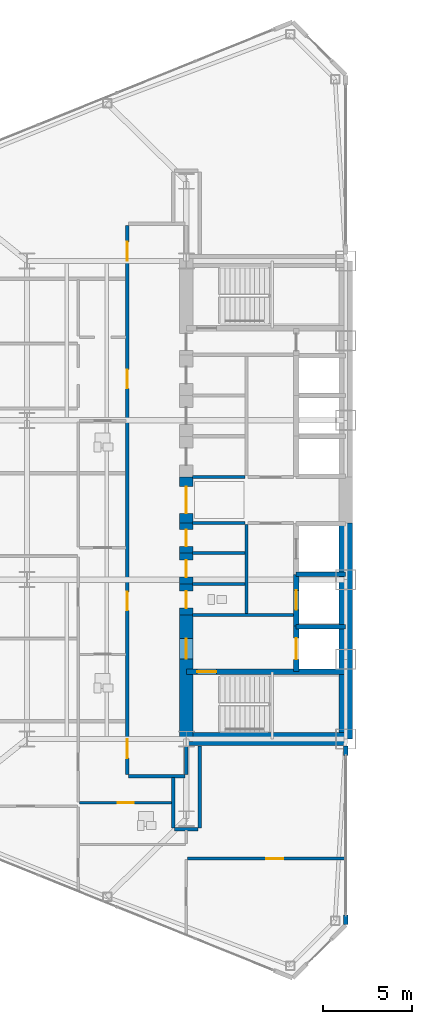
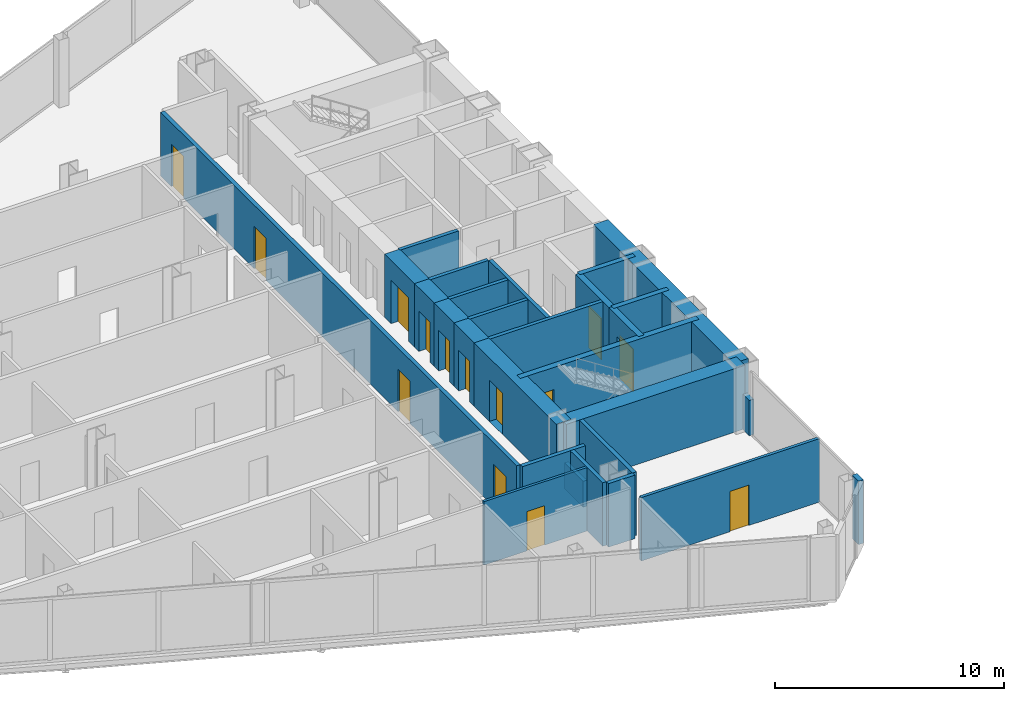
# One storey, part 18 of 25: 28 walls, 14 doors, 14 openings.
"""IFC4 building model written with IfcOpenShell, lengths in metres."""

import ifcopenshell
import ifcopenshell.guid

model = None  # the IFC model being written
_history = None  # IfcOwnerHistory: only IFC2X3 demands one
_inside = {}  # id of a spatial element -> (the spatial element, [elements in it])
_under = {}  # id of a project, library or spatial element -> (it, [spatial elements below it])
_declared = {}  # id of a project -> (the project, [libraries it declares])
_typed = {}  # id of a type object -> (the type object, [elements of that type])
_made_of = {}  # id of a material, layer set ... -> (it, [elements and type objects made of it])


def new_model(schema):
    """Start an empty IFC model of exactly this schema.

    Asked for "IFC4X3", IfcOpenShell would pick the latest addendum, in which some entities
    have other attributes; the version numbers below select the first issue.
    IFC2X3 requires an IfcOwnerHistory on every rooted entity: one is made here for all.
    """
    global model, _history
    if schema == "IFC4X3":
        model = ifcopenshell.file(schema_version=(4, 3, 0, 0))
    else:
        model = ifcopenshell.file(schema=schema)
    _inside.clear()
    _under.clear()
    _declared.clear()
    _typed.clear()
    _made_of.clear()
    _history = None
    if model.schema == "IFC2X3":
        org = make("IfcOrganization", Name="unknown")
        user = make(
            "IfcPersonAndOrganization",
            ThePerson=make("IfcPerson", FamilyName="unknown"),
            TheOrganization=org,
        )
        app = make(
            "IfcApplication",
            ApplicationDeveloper=org,
            Version="unknown",
            ApplicationFullName="unknown",
            ApplicationIdentifier="unknown",
        )
        _history = make(
            "IfcOwnerHistory",
            OwningUser=user,
            OwningApplication=app,
            ChangeAction="ADDED",
            CreationDate=0,
        )
    return model


def make(cls, **values):
    """One entity of the class cls with the attributes given. An attribute that is None is left unset."""
    return model.create_entity(
        cls, **{name: value for name, value in values.items() if value is not None}
    )


def rooted(cls, **values):
    """An entity with a GlobalId (a new one), such as an element, a storey or a relation."""
    return make(cls, GlobalId=ifcopenshell.guid.new(), OwnerHistory=_history, **values)


def si_unit(unit_type, name, prefix=None):
    """IfcSIUnit, for example si_unit("LENGTHUNIT", "METRE", prefix="MILLI")."""
    return make("IfcSIUnit", UnitType=unit_type, Prefix=prefix, Name=name)


def assignment(units):
    """IfcUnitAssignment: the units of a project."""
    return None if units is None else make("IfcUnitAssignment", Units=units)


def point(xyz):
    """IfcCartesianPoint."""
    return None if xyz is None else make("IfcCartesianPoint", Coordinates=xyz)


def direction(xyz):
    """IfcDirection."""
    return None if xyz is None else make("IfcDirection", DirectionRatios=xyz)


def frame(location, z_axis=None, x_axis=None):
    """IfcAxis2Placement3D, a coordinate frame: its origin and axes. An axis left out is left unset."""
    return make(
        "IfcAxis2Placement3D",
        Location=point(location),
        Axis=direction(z_axis),
        RefDirection=direction(x_axis),
    )


def frame_2d(location, x_axis=None):
    """IfcAxis2Placement2D, a coordinate frame in the plane: its origin and x axis."""
    return make(
        "IfcAxis2Placement2D", Location=point(location), RefDirection=direction(x_axis)
    )


def origin():
    """The frame at (0, 0, 0) with its axes left unset."""
    return frame((0.0, 0.0, 0.0))


def place(relative_to, where):
    """IfcLocalPlacement: puts the frame where relative to a parent placement (None: the world)."""
    return make(
        "IfcLocalPlacement", PlacementRelTo=relative_to, RelativePlacement=where
    )


def context(
    kind, dimensions, precision=None, world=None, true_north=None, identifier=None
):
    """IfcGeometricRepresentationContext, for example the 3D "Model" context."""
    return make(
        "IfcGeometricRepresentationContext",
        ContextIdentifier=identifier,
        ContextType=kind,
        CoordinateSpaceDimension=dimensions,
        Precision=precision,
        WorldCoordinateSystem=world,
        TrueNorth=true_north,
    )


def subcontext(parent, identifier, kind, view, scale=None):
    """IfcGeometricRepresentationSubContext, for example "Body" below "Model"."""
    return make(
        "IfcGeometricRepresentationSubContext",
        ContextIdentifier=identifier,
        ContextType=kind,
        ParentContext=parent,
        TargetScale=scale,
        TargetView=view,
    )


def project(units=None, contexts=None):
    """IfcProject with its units and contexts."""
    return rooted(
        "IfcProject",
        Name="project",
        RepresentationContexts=contexts,
        UnitsInContext=assignment(units),
    )


def spatial(cls, under=None, at=None, **own):
    """A site, building, storey or space (cls), placed at a placement, below another one or the project."""
    s = rooted(cls, ObjectPlacement=at, **own)
    if under is not None:
        _under.setdefault(under.id(), (under, []))[1].append(s)
    return s


def profile(cls, at=None, kind="AREA", **sizes):
    """A parametric profile (cls). Its sizes go by their IFC names, for example OverallWidth=200.0."""
    return make(cls, ProfileType=kind, Position=at, **sizes)


def rectangle(**sizes):
    """IfcRectangleProfileDef."""
    return profile("IfcRectangleProfileDef", **sizes)


def extrude(swept, where, along, depth):
    """IfcExtrudedAreaSolid: the profile swept, set in the frame where, extruded along a direction by depth."""
    return make(
        "IfcExtrudedAreaSolid",
        SweptArea=swept,
        Position=where,
        ExtrudedDirection=direction(along),
        Depth=depth,
    )


def shape(context_of_items, identifier, shape_type, items):
    """IfcShapeRepresentation: the items that make up one representation, for example the "Body"."""
    return make(
        "IfcShapeRepresentation",
        ContextOfItems=context_of_items,
        RepresentationIdentifier=identifier,
        RepresentationType=shape_type,
        Items=items,
    )


def source(mapping_origin, context_of_items, identifier, shape_type, items):
    """IfcRepresentationMap: a shape defined once, which mapped items show again and again."""
    return make(
        "IfcRepresentationMap",
        MappingOrigin=mapping_origin,
        MappedRepresentation=shape(context_of_items, identifier, shape_type, items),
    )


def transform(
    local_origin,
    x_axis=None,
    y_axis=None,
    z_axis=None,
    scale=None,
    scale2=None,
    scale3=None,
    uniform=True,
):
    """IfcCartesianTransformationOperator3D, or its non-uniform kind. x_axis, y_axis, z_axis: its Axis1, 2, 3."""
    if uniform:
        return make(
            "IfcCartesianTransformationOperator3D",
            Axis1=direction(x_axis),
            Axis2=direction(y_axis),
            LocalOrigin=point(local_origin),
            Scale=scale,
            Axis3=direction(z_axis),
        )
    return make(
        "IfcCartesianTransformationOperator3DnonUniform",
        Axis1=direction(x_axis),
        Axis2=direction(y_axis),
        LocalOrigin=point(local_origin),
        Scale=scale,
        Axis3=direction(z_axis),
        Scale2=scale2,
        Scale3=scale3,
    )


def mapped(mapping_source, mapping_target):
    """IfcMappedItem: shows the shape of a source again, moved by a transform."""
    return make(
        "IfcMappedItem", MappingSource=mapping_source, MappingTarget=mapping_target
    )


def material(Name=None, Category=None):
    """IfcMaterial."""
    return make("IfcMaterial", Name=Name, Category=Category)


def layer(
    of_material, thickness, ventilated=None, Name=None, Category=None, Priority=None
):
    """IfcMaterialLayer: one layer of a wall or slab, of a material (None: an air gap)."""
    return make(
        "IfcMaterialLayer",
        Material=of_material,
        LayerThickness=thickness,
        IsVentilated=ventilated,
        Name=Name,
        Category=Category,
        Priority=Priority,
    )


def layer_set(layers, Name=None):
    """IfcMaterialLayerSet."""
    return make("IfcMaterialLayerSet", MaterialLayers=layers, LayerSetName=Name)


def made_of(thing, what):
    """Note that an element or type object is made of a material, layer set ...; save() writes the relation."""
    if what is not None:
        _made_of.setdefault(what.id(), (what, []))[1].append(thing)
    return thing


def type_object(cls, material=None, **own):
    """A type object (cls), such as IfcWallType, which elements share."""
    return made_of(rooted(cls, **own), material)


def type_shapes(of_type, sources):
    """Give a type object the sources (RepresentationMaps) that its elements show as mapped items."""
    of_type.RepresentationMaps = sources


def element(
    cls,
    number,
    at=None,
    inside=None,
    cuts=None,
    type_object=None,
    material=None,
    context=None,
    identifier="Body",
    shape_type=None,
    held_by="IfcProductDefinitionShape",
    body=None,
    shapes=None,
    **own,
):
    """One element of the class cls, such as IfcWall. Its Tag is "e" and its number.

    at: its placement. inside: the storey or other place that contains it. cuts: it is an
    opening in that element (IfcRelVoidsElement). A single representation is given by context,
    identifier, shape_type and body (its items); several are given by shapes. held_by: the class
    of the entity that holds the representations. save() writes the other relations.
    """
    e = rooted(cls, Tag="e%d" % number, ObjectPlacement=at, **own)
    if body is not None:
        shapes = [shape(context, identifier, shape_type, body)]
    if shapes is not None:
        e.Representation = make(held_by, Representations=shapes)
    if inside is not None:
        _inside.setdefault(inside.id(), (inside, []))[1].append(e)
    if cuts is not None:
        rooted(
            "IfcRelVoidsElement", RelatingBuildingElement=cuts, RelatedOpeningElement=e
        )
    if type_object is not None:
        _typed.setdefault(type_object.id(), (type_object, []))[1].append(e)
    return made_of(e, material)


def fill(opening, filler):
    """IfcRelFillsElement: the door or window that sits in an opening."""
    return rooted(
        "IfcRelFillsElement",
        RelatingOpeningElement=opening,
        RelatedBuildingElement=filler,
    )


def aggregate(whole, parts):
    """IfcRelAggregates: a whole, such as a stair, and the parts it consists of."""
    return rooted("IfcRelAggregates", RelatingObject=whole, RelatedObjects=parts)


def save(model, path):
    """Write the relations noted so far, then the file.

    IfcRelAggregates (storeys below a building ...), IfcRelContainedInSpatialStructure (elements
    in a storey), IfcRelDefinesByType, IfcRelAssociatesMaterial and IfcRelDeclares: one each for
    every whole, place, type object, material and project.
    """
    for whole, parts in _under.values():
        aggregate(whole, parts)
    for where, things in _inside.values():
        rooted(
            "IfcRelContainedInSpatialStructure",
            RelatedElements=things,
            RelatingStructure=where,
        )
    for kind, things in _typed.values():
        rooted("IfcRelDefinesByType", RelatedObjects=things, RelatingType=kind)
    for what, things in _made_of.values():
        rooted("IfcRelAssociatesMaterial", RelatedObjects=things, RelatingMaterial=what)
    for by, libraries in _declared.values():
        rooted("IfcRelDeclares", RelatingContext=by, RelatedDefinitions=libraries)
    model.write(path)


model = new_model("IFC4")

# Units and contexts
model_context = context("Model", 3, precision=1e-05, world=origin(), true_north=direction((0.0, 1.0)))
body_context = subcontext(model_context, "Body", "Model", "MODEL_VIEW")
ifc_project = project(units=[si_unit("LENGTHUNIT", "METRE"), si_unit("AREAUNIT", "SQUARE_METRE"), si_unit("VOLUMEUNIT", "CUBIC_METRE"), si_unit("PLANEANGLEUNIT", "RADIAN"), si_unit("MASSUNIT", "GRAM", prefix="KILO")], contexts=[model_context])

# Site, building, storey
site_placement = place(None, origin())
site = spatial("IfcSite", under=ifc_project, at=site_placement, CompositionType="ELEMENT")
building_placement = place(site_placement, origin())
building = spatial("IfcBuilding", under=site, at=building_placement, Name="Seokmaru Belvedere", CompositionType="ELEMENT")
storey_placement = place(building_placement, frame((0.0, 0.0, 58.5)))
storey = spatial("IfcBuildingStorey", under=building, at=storey_placement, Name="L15", CompositionType="ELEMENT", Elevation=58.5)

# Wall, opening, door
ifc_material_1 = material(Name="Fire-Rated Gypsum Shaftwall")
ifc_layer_1 = layer(ifc_material_1, 0.14990234375)
ifc_layer_set_1 = layer_set([ifc_layer_1], Name="Fire-Rated Gypsum Shaftwall")
wall_type_1 = type_object("IfcWallType", Name="Apartment Fire-Acoustic Room Partition 150", PredefinedType="PARTITIONING", material=ifc_layer_set_1)
wall_1_placement = place(storey_placement, frame((-36.449951171875, -20.25, 0.0), z_axis=(0.0, 0.0, 1.0), x_axis=(1.0, 0.0, 0.0)))
wall_1 = element("IfcWall", 1, at=wall_1_placement, inside=storey, type_object=wall_type_1, Name="L15 Interior Partition 001", PredefinedType="PARTITIONING", context=body_context, shape_type="SweptSolid", body=[
    extrude(rectangle(XDim=8.98486328125, YDim=0.14990234375, at=frame_2d((4.492431640625, 0.0))), origin(), (0.0, 0.0, 1.0), 3.3798828125),
])
opening_1_placement = place(wall_1_placement, frame((4.462646484375, 0.0, 0.0)))
opening_1 = element("IfcOpeningElement", 2, at=opening_1_placement, cuts=wall_1, Name="Opening D05", PredefinedType="OPENING", context=body_context, shape_type="SweptSolid", body=[
    extrude(rectangle(XDim=0.949951171875, YDim=2.14990234375, at=frame_2d((0.47509765625, 1.074951171875))), frame((0.0, 0.0849609375, 0.0), z_axis=(0.0, -1.0, 0.0), x_axis=(1.0, 0.0, 0.0)), (0.0, 0.0, 1.0), 0.169921875),
])
ifc_material_2 = material(Name="Engineered White Oak Timber", Category="wood")
door_type_1 = type_object("IfcDoorType", Name="Apartment Interior Fire-Rated Oak Door 950x2150", OperationType="NOTDEFINED", PredefinedType="DOOR", material=ifc_material_2)
shared_shape_1 = source(origin(), body_context, "Body", "SweptSolid", [
    extrude(rectangle(XDim=0.949951171875, YDim=2.14990234375, at=frame_2d((0.47509765625, 1.074951171875))), frame((0.0, 0.02490234375, 0.0), z_axis=(0.0, -1.0, 0.0), x_axis=(1.0, 0.0, 0.0)), (0.0, 0.0, 1.0), 0.050048828125),
])
type_shapes(door_type_1, [shared_shape_1])
door_1_placement = place(opening_1_placement, origin())
door_1 = element("IfcDoor", 3, at=door_1_placement, inside=storey, type_object=door_type_1, Name="L15 Interior Door 009", OperationType="SINGLE_SWING_RIGHT", OverallHeight=2.14990234375, OverallWidth=0.949951171875, PredefinedType="DOOR", context=body_context, shape_type="MappedRepresentation", body=[
    mapped(shared_shape_1, transform((0.0, 0.0, 0.0), scale=1.0)),
])
fill(opening_1, door_1)

# Walls
ifc_layer_2 = layer(ifc_material_1, 0.179931640625)
ifc_layer_set_2 = layer_set([ifc_layer_2], Name="Fire-Rated Gypsum Shaftwall")
wall_type_2 = type_object("IfcWallType", Name="Core Service Fire Partition 180", PredefinedType="PARTITIONING", material=ifc_layer_set_2)
wall_2_placement = place(storey_placement, frame((-36.14990234375, -6.5, 0.0), z_axis=(0.0, 0.0, 1.0), x_axis=(1.0, 0.0, 0.0)))
element("IfcWall", 4, at=wall_2_placement, inside=storey, type_object=wall_type_2, Name="L15 West Firefighting Lobby Partition", PredefinedType="PARTITIONING", context=body_context, shape_type="SweptSolid", body=[
    extrude(rectangle(XDim=5.699951171875, YDim=0.179931640625, at=frame_2d((2.85009765625, 0.0))), origin(), (0.0, 0.0, 1.0), 3.3798828125),
])
wall_3_placement = place(storey_placement, frame((-33.10009765625, -6.419921875, 0.0), z_axis=(0.0, 0.0, 1.0), x_axis=(0.0, 1.0, 0.0)))
element("IfcWall", 5, at=wall_3_placement, inside=storey, type_object=wall_type_2, Name="L15 West South Core Service Back Wall", PredefinedType="PARTITIONING", context=body_context, shape_type="SweptSolid", body=[
    extrude(rectangle(XDim=5.0400390625, YDim=0.179931640625, at=frame_2d((2.52001953125, 0.0))), origin(), (0.0, 0.0, 1.0), 3.3798828125),
])
for number, where, z_axis, x_axis, name in (
    (6, (-36.14990234375, -1.300048828125, 0.0), (0.0, 0.0, 1.0), (1.0, 0.0, 0.0), "L15 West Foyer Side Wall S"),
    (7, (-36.14990234375, 1.300048828125, 0.0), (0.0, 0.0, 1.0), (1.0, 0.0, 0.0), "L15 West Foyer Side Wall N"),
    (8, (-36.14990234375, -4.75, 0.0), (0.0, 0.0, 1.0), (1.0, 0.0, 0.0), "L15 West Core Service Partition 1"),
    (9, (-36.14990234375, -3.0, 0.0), (0.0, 0.0, 1.0), (1.0, 0.0, 0.0), "L15 West Core Service Partition 2"),
):
    element("IfcWall", number, at=place(storey_placement, frame(where, z_axis=z_axis, x_axis=x_axis)), inside=storey, type_object=wall_type_2, Name=name, PredefinedType="PARTITIONING", context=body_context, shape_type="SweptSolid", body=[
        extrude(rectangle(XDim=2.949951171875, YDim=0.179931640625, at=frame_2d((1.47509765625, 0.0))), origin(), (0.0, 0.0, 1.0), 3.3798828125),
    ])
ifc_material_3 = material(Name="Concrete C50 (50 MPa)", Category="concrete")
ifc_layer_3 = layer(ifc_material_3, 0.25)
ifc_layer_set_3 = layer_set([ifc_layer_3], Name="Concrete C50 (50 MPa)")
wall_type_3 = type_object("IfcWallType", Name="Hoistway Transverse Concrete Divider Wall 250", PredefinedType="SHEAR", material=ifc_layer_set_3)
for number, where, z_axis, x_axis, name in (
    (10, (-30.300048828125, -7.14990234375, 0.0), (0.0, 0.0, 1.0), (1.0, 0.0, 0.0), "L15 West Hoistway Divider Core Wall 1"),
    (11, (-30.300048828125, -4.199951171875, 0.0), (0.0, 0.0, 1.0), (1.0, 0.0, 0.0), "L15 West Hoistway Divider Core Wall 2"),
):
    element("IfcWall", number, at=place(storey_placement, frame(where, z_axis=z_axis, x_axis=x_axis)), inside=storey, type_object=wall_type_3, Name=name, PredefinedType="SHEAR", context=body_context, shape_type="SweptSolid", body=[
        extrude(rectangle(XDim=2.800048828125, YDim=0.25, at=frame_2d((1.39990234375, 0.0))), origin(), (0.0, 0.0, 1.0), 3.3798828125),
    ])
ifc_layer_4 = layer(ifc_material_1, 0.199951171875)
ifc_layer_set_4 = layer_set([ifc_layer_4], Name="Fire-Rated Gypsum Shaftwall")
wall_type_4 = type_object("IfcWallType", Name="Inter-Tenancy Fire Compartment Partition 200", PredefinedType="PARTITIONING", material=ifc_layer_set_4)
wall_4_placement = place(storey_placement, frame((-37.1650390625, -18.60009765625, 0.0), z_axis=(0.0, 0.0, 1.0), x_axis=(1.0, 0.0, 0.0)))
element("IfcWall", 12, at=wall_4_placement, inside=storey, type_object=wall_type_4, Name="L15 Interior Partition 003", PredefinedType="PARTITIONING", context=body_context, shape_type="SweptSolid", body=[
    extrude(rectangle(XDim=1.330078125, YDim=0.199951171875, at=frame_2d((0.6650390625, 0.0))), origin(), (0.0, 0.0, 1.0), 3.3798828125),
])
wall_5_placement = place(storey_placement, frame((-39.764892578125, -15.60009765625, 0.0), z_axis=(0.0, 0.0, 1.0), x_axis=(1.0, 0.0, 0.0)))
element("IfcWall", 13, at=wall_5_placement, inside=storey, type_object=wall_type_4, Name="L15 Interior Partition 007", PredefinedType="PARTITIONING", context=body_context, shape_type="SweptSolid", body=[
    extrude(rectangle(XDim=3.179931640625, YDim=0.199951171875, at=frame_2d((1.58984375, 0.0))), origin(), (0.0, 0.0, 1.0), 3.3798828125),
])

# Wall, openings, doors
wall_6_placement = place(storey_placement, frame((-39.85009765625, -15.514892578125, 0.0), z_axis=(0.0, 0.0, 1.0), x_axis=(0.0, 1.0, 0.0)))
wall_6 = element("IfcWall", 14, at=wall_6_placement, inside=storey, type_object=wall_type_4, Name="L15 Interior Partition 044", PredefinedType="PARTITIONING", context=body_context, shape_type="SweptSolid", body=[
    extrude(rectangle(XDim=31.02978515625, YDim=0.199951171875, at=frame_2d((15.514892578125, 0.0))), origin(), (0.0, 0.0, 1.0), 3.3798828125),
])
opening_2_placement = place(wall_6_placement, frame((0.93994140625, 0.0, 0.0)))
opening_2 = element("IfcOpeningElement", 15, at=opening_2_placement, cuts=wall_6, Name="Opening D03", PredefinedType="OPENING", context=body_context, shape_type="SweptSolid", body=[
    extrude(rectangle(XDim=1.050048828125, YDim=2.25, at=frame_2d((0.52490234375, 1.125))), frame((0.0, 0.10986328125, 0.0), z_axis=(0.0, -1.0, 0.0), x_axis=(1.0, 0.0, 0.0)), (0.0, 0.0, 1.0), 0.219970703125),
])
opening_3_placement = place(wall_6_placement, frame((9.280029296875, 0.0, 0.0)))
opening_3 = element("IfcOpeningElement", 16, at=opening_3_placement, cuts=wall_6, Name="Opening D03", PredefinedType="OPENING", context=body_context, shape_type="SweptSolid", body=[
    extrude(rectangle(XDim=1.050048828125, YDim=2.25, at=frame_2d((0.52490234375, 1.125))), frame((0.0, 0.10986328125, 0.0), z_axis=(0.0, -1.0, 0.0), x_axis=(1.0, 0.0, 0.0)), (0.0, 0.0, 1.0), 0.219970703125),
])
opening_4_placement = place(wall_6_placement, frame((21.824951171875, 0.0, 0.0)))
opening_4 = element("IfcOpeningElement", 17, at=opening_4_placement, cuts=wall_6, Name="Opening D03", PredefinedType="OPENING", context=body_context, shape_type="SweptSolid", body=[
    extrude(rectangle(XDim=1.050048828125, YDim=2.25, at=frame_2d((0.52490234375, 1.125))), frame((0.0, 0.10986328125, 0.0), z_axis=(0.0, -1.0, 0.0), x_axis=(1.0, 0.0, 0.0)), (0.0, 0.0, 1.0), 0.219970703125),
])
opening_5_placement = place(wall_6_placement, frame((29.0400390625, 0.0, 0.0)))
opening_5 = element("IfcOpeningElement", 18, at=opening_5_placement, cuts=wall_6, Name="Opening D03", PredefinedType="OPENING", context=body_context, shape_type="SweptSolid", body=[
    extrude(rectangle(XDim=1.050048828125, YDim=2.25, at=frame_2d((0.52490234375, 1.125))), frame((0.0, 0.10986328125, 0.0), z_axis=(0.0, -1.0, 0.0), x_axis=(1.0, 0.0, 0.0)), (0.0, 0.0, 1.0), 0.219970703125),
])
ifc_material_4 = material(Name="Fire-Rated Steel Leaf", Category="steel")
door_type_2 = type_object("IfcDoorType", Name="Apartment Entrance Fire Door 1050x2250", OperationType="NOTDEFINED", PredefinedType="DOOR", material=ifc_material_4)
shared_shape_2 = source(origin(), body_context, "Body", "SweptSolid", [
    extrude(rectangle(XDim=1.050048828125, YDim=2.25, at=frame_2d((0.52490234375, 1.125))), frame((0.0, 0.02490234375, 0.0), z_axis=(0.0, -1.0, 0.0), x_axis=(1.0, 0.0, 0.0)), (0.0, 0.0, 1.0), 0.050048828125),
])
type_shapes(door_type_2, [shared_shape_2])
door_2_placement = place(opening_2_placement, origin())
door_2 = element("IfcDoor", 19, at=door_2_placement, inside=storey, type_object=door_type_2, Name="L15 Interior Door 001", OperationType="SINGLE_SWING_RIGHT", OverallHeight=2.25, OverallWidth=1.050048828125, PredefinedType="DOOR", context=body_context, shape_type="MappedRepresentation", body=[
    mapped(shared_shape_2, transform((0.0, 0.0, 0.0), scale=1.0)),
])
fill(opening_2, door_2)
door_3_placement = place(opening_3_placement, origin())
door_3 = element("IfcDoor", 20, at=door_3_placement, inside=storey, type_object=door_type_2, Name="L15 Interior Door 010", OperationType="SINGLE_SWING_LEFT", OverallHeight=2.25, OverallWidth=1.050048828125, PredefinedType="DOOR", context=body_context, shape_type="MappedRepresentation", body=[
    mapped(shared_shape_2, transform((0.0, 0.0, 0.0), scale=1.0)),
])
fill(opening_3, door_3)
door_4_placement = place(opening_4_placement, origin())
door_4 = element("IfcDoor", 21, at=door_4_placement, inside=storey, type_object=door_type_2, Name="L15 Interior Door 022", OperationType="SINGLE_SWING_RIGHT", OverallHeight=2.25, OverallWidth=1.050048828125, PredefinedType="DOOR", context=body_context, shape_type="MappedRepresentation", body=[
    mapped(shared_shape_2, transform((0.0, 0.0, 0.0), scale=1.0)),
])
fill(opening_4, door_4)
door_5_placement = place(opening_5_placement, origin())
door_5 = element("IfcDoor", 22, at=door_5_placement, inside=storey, type_object=door_type_2, Name="L15 Interior Door 034", OperationType="SINGLE_SWING_LEFT", OverallHeight=2.25, OverallWidth=1.050048828125, PredefinedType="DOOR", context=body_context, shape_type="MappedRepresentation", body=[
    mapped(shared_shape_2, transform((0.0, 0.0, 0.0), scale=1.0)),
])
fill(opening_5, door_5)

# Walls
wall_7_placement = place(storey_placement, frame((-37.25, -18.514892578125, 0.0), z_axis=(0.0, 0.0, 1.0), x_axis=(0.0, 1.0, 0.0)))
element("IfcWall", 23, at=wall_7_placement, inside=storey, type_object=wall_type_4, Name="L15 Interior Partition 045", PredefinedType="PARTITIONING", context=body_context, shape_type="SweptSolid", body=[
    extrude(rectangle(XDim=2.829833984375, YDim=0.199951171875, at=frame_2d((1.4150390625, 0.0))), origin(), (0.0, 0.0, 1.0), 3.3798828125),
])
wall_8_placement = place(storey_placement, frame((-36.5, -15.514892578125, 0.0), z_axis=(0.0, 0.0, 1.0), x_axis=(0.0, 1.0, 0.0)))
element("IfcWall", 24, at=wall_8_placement, inside=storey, type_object=wall_type_4, Name="L15 Interior Partition 049", PredefinedType="PARTITIONING", context=body_context, shape_type="SweptSolid", body=[
    extrude(rectangle(XDim=1.635009765625, YDim=0.199951171875, at=frame_2d((0.8173828125, 0.0))), origin(), (0.0, 0.0, 1.0), 1.3798828125),
])
wall_9_placement = place(storey_placement, frame((-35.75, -18.514892578125, 0.0), z_axis=(0.0, 0.0, 1.0), x_axis=(0.0, 1.0, 0.0)))
element("IfcWall", 25, at=wall_9_placement, inside=storey, type_object=wall_type_4, Name="L15 Interior Partition 051", PredefinedType="PARTITIONING", context=body_context, shape_type="SweptSolid", body=[
    extrude(rectangle(XDim=4.635009765625, YDim=0.199951171875, at=frame_2d((2.3173828125, 0.0))), origin(), (0.0, 0.0, 1.0), 3.3798828125),
])

# Wall, opening, door
ifc_layer_5 = layer(ifc_material_3, 0.300048828125)
ifc_layer_set_5 = layer_set([ifc_layer_5], Name="Concrete C50 (50 MPa)")
wall_type_5 = type_object("IfcWallType", Name="Internal Core Stair and Hoistway Wall 300", PredefinedType="SHEAR", material=ifc_layer_set_5)
wall_10_placement = place(storey_placement, frame((-36.5, -9.699951171875, 0.0), z_axis=(0.0, 0.0, 1.0), x_axis=(1.0, 0.0, 0.0)))
wall_10 = element("IfcWall", 26, at=wall_10_placement, inside=storey, type_object=wall_type_5, Name="L15 West Stair ST-1 Enclosure Wall", PredefinedType="SHEAR", context=body_context, shape_type="SweptSolid", body=[
    extrude(rectangle(XDim=9.0, YDim=0.300048828125, at=frame_2d((4.5, 0.0))), origin(), (0.0, 0.0, 1.0), 3.3798828125),
])
opening_6_placement = place(wall_10_placement, frame((0.60009765625, 0.0, 0.0)))
opening_6 = element("IfcOpeningElement", 27, at=opening_6_placement, cuts=wall_10, Name="Opening D01", PredefinedType="OPENING", context=body_context, shape_type="SweptSolid", body=[
    extrude(rectangle(XDim=1.10009765625, YDim=2.199951171875, at=frame_2d((0.550048828125, 1.10009765625))), frame((0.0, 0.16015625, 0.0), z_axis=(0.0, -1.0, 0.0), x_axis=(1.0, 0.0, 0.0)), (0.0, 0.0, 1.0), 0.320068359375),
])
door_type_3 = type_object("IfcDoorType", Name="Special Escape Stair Smokeproof Fire Door 1100x2200", OperationType="NOTDEFINED", PredefinedType="DOOR", material=ifc_material_4)
shared_shape_3 = source(origin(), body_context, "Body", "SweptSolid", [
    extrude(rectangle(XDim=1.10009765625, YDim=2.199951171875, at=frame_2d((0.550048828125, 1.10009765625))), frame((0.0, 0.02490234375, 0.0), z_axis=(0.0, -1.0, 0.0), x_axis=(1.0, 0.0, 0.0)), (0.0, 0.0, 1.0), 0.050048828125),
])
type_shapes(door_type_3, [shared_shape_3])
door_6_placement = place(opening_6_placement, frame((1.10009765625, 0.0, 0.0), z_axis=(0.0, 0.0, 1.0), x_axis=(-1.0, 0.0, 0.0)))
door_6 = element("IfcDoor", 28, at=door_6_placement, inside=storey, type_object=door_type_3, Name="L15 West Special Escape Stair ST-1 Door", OperationType="SINGLE_SWING_LEFT", OverallHeight=2.199951171875, OverallWidth=1.10009765625, PredefinedType="DOOR", context=body_context, shape_type="MappedRepresentation", body=[
    mapped(shared_shape_3, transform((0.0, 0.0, 0.0), scale=1.0)),
])
fill(opening_6, door_6)

wall_11_placement = place(storey_placement, frame((-30.300048828125, -9.679931640625, 0.0), z_axis=(0.0, 0.0, 1.0), x_axis=(0.0, 1.0, 0.0)))
wall_11 = element("IfcWall", 29, at=wall_11_placement, inside=storey, type_object=wall_type_5, Name="L15 West Firefighting Lift Shaft Front Wall", PredefinedType="SHEAR", context=body_context, shape_type="SweptSolid", body=[
    extrude(rectangle(XDim=2.559814453125, YDim=0.300048828125, at=frame_2d((1.27978515625, 0.0))), origin(), (0.0, 0.0, 1.0), 3.3798828125),
])
opening_7_placement = place(wall_11_placement, frame((0.679931640625, 0.0, 0.0)))
opening_7 = element("IfcOpeningElement", 30, at=opening_7_placement, cuts=wall_11, Name="Opening LD2", PredefinedType="OPENING", context=body_context, shape_type="SweptSolid", body=[
    extrude(rectangle(XDim=1.199951171875, YDim=2.25, at=frame_2d((0.60009765625, 1.125))), frame((0.0, 0.16015625, 0.0), z_axis=(0.0, -1.0, 0.0), x_axis=(1.0, 0.0, 0.0)), (0.0, 0.0, 1.0), 0.320068359375),
])
ifc_material_5 = material(Name="Stainless Steel 316", Category="steel")
door_type_4 = type_object("IfcDoorType", Name="Firefighting Lift Sliding Landing Door 1200x2250", OperationType="DOUBLE_DOOR_SLIDING", PredefinedType="DOOR", material=ifc_material_5)
shared_shape_4 = source(origin(), body_context, "Body", "SweptSolid", [
    extrude(rectangle(XDim=1.199951171875, YDim=2.25, at=frame_2d((0.60009765625, 1.125))), frame((0.0, 0.02490234375, 0.0), z_axis=(0.0, -1.0, 0.0), x_axis=(1.0, 0.0, 0.0)), (0.0, 0.0, 1.0), 0.050048828125),
])
type_shapes(door_type_4, [shared_shape_4])
door_7_placement = place(opening_7_placement, origin())
door_7 = element("IfcDoor", 31, at=door_7_placement, inside=storey, type_object=door_type_4, Name="L15 West Firefighting Lift Landing Door", OperationType="DOUBLE_DOOR_SLIDING", OverallHeight=2.25, OverallWidth=1.199951171875, PredefinedType="DOOR", context=body_context, shape_type="MappedRepresentation", body=[
    mapped(shared_shape_4, transform((0.0, 0.0, 0.0), scale=1.0)),
])
fill(opening_7, door_7)

wall_12_placement = place(storey_placement, frame((-30.300048828125, -7.1201171875, 0.0), z_axis=(0.0, 0.0, 1.0), x_axis=(0.0, 1.0, 0.0)))
wall_12 = element("IfcWall", 32, at=wall_12_placement, inside=storey, type_object=wall_type_5, Name="L15 West Low-Rise Lift PL-1 Front Wall", PredefinedType="SHEAR", context=body_context, shape_type="SweptSolid", body=[
    extrude(rectangle(XDim=2.920166015625, YDim=0.300048828125, at=frame_2d((1.4599609375, 0.0))), origin(), (0.0, 0.0, 1.0), 3.3798828125),
])
opening_8_placement = place(wall_12_placement, frame((0.909912109375, 0.0, 0.0)))
opening_8 = element("IfcOpeningElement", 33, at=opening_8_placement, cuts=wall_12, Name="Opening LD1", PredefinedType="OPENING", context=body_context, shape_type="SweptSolid", body=[
    extrude(rectangle(XDim=1.10009765625, YDim=2.199951171875, at=frame_2d((0.550048828125, 1.10009765625))), frame((0.0, 0.16015625, 0.0), z_axis=(0.0, -1.0, 0.0), x_axis=(1.0, 0.0, 0.0)), (0.0, 0.0, 1.0), 0.320068359375),
])
door_type_5 = type_object("IfcDoorType", Name="Passenger Lift Sliding Landing Door 1100x2200", OperationType="DOUBLE_DOOR_SLIDING", PredefinedType="DOOR", material=ifc_material_5)
shared_shape_5 = source(origin(), body_context, "Body", "SweptSolid", [
    extrude(rectangle(XDim=1.10009765625, YDim=2.199951171875, at=frame_2d((0.550048828125, 1.10009765625))), frame((0.0, 0.02490234375, 0.0), z_axis=(0.0, -1.0, 0.0), x_axis=(1.0, 0.0, 0.0)), (0.0, 0.0, 1.0), 0.050048828125),
])
type_shapes(door_type_5, [shared_shape_5])
door_8_placement = place(opening_8_placement, origin())
door_8 = element("IfcDoor", 34, at=door_8_placement, inside=storey, type_object=door_type_5, Name="L15 West Low-Rise Lift PL-1 Landing Door", OperationType="DOUBLE_DOOR_SLIDING", OverallHeight=2.199951171875, OverallWidth=1.10009765625, PredefinedType="DOOR", context=body_context, shape_type="MappedRepresentation", body=[
    mapped(shared_shape_5, transform((0.0, 0.0, 0.0), scale=1.0)),
])
fill(opening_8, door_8)

# Walls
ifc_material_6 = material(Name="Concrete C60 (60 MPa)", Category="concrete")
ifc_layer_6 = layer(ifc_material_6, 0.75)
ifc_layer_set_6 = layer_set([ifc_layer_6], Name="Concrete C60 (60 MPa)")
wall_type_6 = type_object("IfcWallType", Name="Lower Tower Reinforced Concrete Core Wall 750", PredefinedType="SHEAR", material=ifc_layer_set_6)
wall_13_placement = place(storey_placement, frame((-27.5, -13.5, 0.0), z_axis=(0.0, 0.0, 1.0), x_axis=(0.0, 1.0, 0.0)))
element("IfcWall", 35, at=wall_13_placement, inside=storey, type_object=wall_type_6, Name="L15 West Portal Spine Core Wall South", PredefinedType="SHEAR", context=body_context, shape_type="SweptSolid", body=[
    extrude(rectangle(XDim=12.199951171875, YDim=0.75, at=frame_2d((6.10009765625, 0.0))), origin(), (0.0, 0.0, 1.0), 3.3798828125),
])
wall_14_placement = place(storey_placement, frame((-36.5, -13.5, 0.0), z_axis=(0.0, 0.0, 1.0), x_axis=(1.0, 0.0, 0.0)))
element("IfcWall", 36, at=wall_14_placement, inside=storey, type_object=wall_type_6, Name="L15 West South Core Wall", PredefinedType="SHEAR", context=body_context, shape_type="SweptSolid", body=[
    extrude(rectangle(XDim=9.0, YDim=0.75, at=frame_2d((4.5, 0.0))), origin(), (0.0, 0.0, 1.0), 3.3798828125),
])

# Wall, opening, door
wall_15_placement = place(storey_placement, frame((-36.5, -13.64990234375, 0.0), z_axis=(0.0, 0.0, 1.0), x_axis=(0.0, 1.0, 0.0)))
wall_15 = element("IfcWall", 37, at=wall_15_placement, inside=storey, type_object=wall_type_6, Name="L15 West West Core Wall FF", PredefinedType="SHEAR", context=body_context, shape_type="SweptSolid", body=[
    extrude(rectangle(XDim=7.14990234375, YDim=0.75, at=frame_2d((3.574951171875, 0.0))), origin(), (0.0, 0.0, 1.0), 3.3798828125),
])
opening_9_placement = place(wall_15_placement, frame((4.675048828125, 0.0, 0.0)))
opening_9 = element("IfcOpeningElement", 38, at=opening_9_placement, cuts=wall_15, Name="Opening D02", PredefinedType="OPENING", context=body_context, shape_type="SweptSolid", body=[
    extrude(rectangle(XDim=1.14990234375, YDim=2.199951171875, at=frame_2d((0.574951171875, 1.10009765625))), frame((0.0, 0.385009765625, 0.0), z_axis=(0.0, -1.0, 0.0), x_axis=(1.0, 0.0, 0.0)), (0.0, 0.0, 1.0), 0.77001953125),
])
door_type_6 = type_object("IfcDoorType", Name="Lobby and Vestibule Fire Door 1150x2200", OperationType="NOTDEFINED", PredefinedType="DOOR", material=ifc_material_4)
shared_shape_6 = source(origin(), body_context, "Body", "SweptSolid", [
    extrude(rectangle(XDim=1.14990234375, YDim=2.199951171875, at=frame_2d((0.574951171875, 1.10009765625))), frame((0.0, 0.02490234375, 0.0), z_axis=(0.0, -1.0, 0.0), x_axis=(1.0, 0.0, 0.0)), (0.0, 0.0, 1.0), 0.050048828125),
])
type_shapes(door_type_6, [shared_shape_6])
door_9_placement = place(opening_9_placement, frame((1.14990234375, 0.0, 0.0), z_axis=(0.0, 0.0, 1.0), x_axis=(-1.0, 0.0, 0.0)))
door_9 = element("IfcDoor", 39, at=door_9_placement, inside=storey, type_object=door_type_6, Name="L15 West Firefighting Lobby Door", OperationType="SINGLE_SWING_LEFT", OverallHeight=2.199951171875, OverallWidth=1.14990234375, PredefinedType="DOOR", context=body_context, shape_type="MappedRepresentation", body=[
    mapped(shared_shape_6, transform((0.0, 0.0, 0.0), scale=1.0)),
])
fill(opening_9, door_9)

wall_16_placement = place(storey_placement, frame((-36.5, -1.300048828125, 0.0), z_axis=(0.0, 0.0, 1.0), x_axis=(0.0, 1.0, 0.0)))
wall_16 = element("IfcWall", 40, at=wall_16_placement, inside=storey, type_object=wall_type_6, Name="L15 West West Core Wall FOY", PredefinedType="SHEAR", context=body_context, shape_type="SweptSolid", body=[
    extrude(rectangle(XDim=2.60009765625, YDim=0.75, at=frame_2d((1.300048828125, 0.0))), origin(), (0.0, 0.0, 1.0), 3.3798828125),
])
opening_10_placement = place(wall_16_placement, frame((0.550048828125, 0.0, 0.0)))
opening_10 = element("IfcOpeningElement", 41, at=opening_10_placement, cuts=wall_16, Name="Opening D08", PredefinedType="OPENING", context=body_context, shape_type="SweptSolid", body=[
    extrude(rectangle(XDim=1.5, YDim=2.300048828125, at=frame_2d((0.75, 1.14990234375))), frame((0.0, 0.385009765625, 0.0), z_axis=(0.0, -1.0, 0.0), x_axis=(1.0, 0.0, 0.0)), (0.0, 0.0, 1.0), 0.77001953125),
])
door_type_7 = type_object("IfcDoorType", Name="Cross-Corridor Compartment Double Fire Door 1500x2300", OperationType="DOUBLE_SWING_LEFT", PredefinedType="DOOR", material=ifc_material_4)
shared_shape_7 = source(origin(), body_context, "Body", "SweptSolid", [
    extrude(rectangle(XDim=1.5, YDim=2.300048828125, at=frame_2d((0.75, 1.14990234375))), frame((0.0, 0.02490234375, 0.0), z_axis=(0.0, -1.0, 0.0), x_axis=(1.0, 0.0, 0.0)), (0.0, 0.0, 1.0), 0.050048828125),
])
type_shapes(door_type_7, [shared_shape_7])
door_10_placement = place(opening_10_placement, origin())
door_10 = element("IfcDoor", 42, at=door_10_placement, inside=storey, type_object=door_type_7, Name="L15 West Core Foyer Compartment Door", OperationType="DOUBLE_SWING_LEFT", OverallHeight=2.300048828125, OverallWidth=1.5, PredefinedType="DOOR", context=body_context, shape_type="MappedRepresentation", body=[
    mapped(shared_shape_7, transform((0.0, 0.0, 0.0), scale=1.0)),
])
fill(opening_10, door_10)

wall_17_placement = place(storey_placement, frame((-36.5, -6.5, 0.0), z_axis=(0.0, 0.0, 1.0), x_axis=(0.0, 1.0, 0.0)))
wall_17 = element("IfcWall", 43, at=wall_17_placement, inside=storey, type_object=wall_type_6, Name="L15 West West Core Wall CS1", PredefinedType="SHEAR", context=body_context, shape_type="SweptSolid", body=[
    extrude(rectangle(XDim=1.75, YDim=0.75, at=frame_2d((0.875, 0.0))), origin(), (0.0, 0.0, 1.0), 3.3798828125),
])
opening_11_placement = place(wall_17_placement, frame((0.39990234375, 0.0, 0.0)))
opening_11 = element("IfcOpeningElement", 44, at=opening_11_placement, cuts=wall_17, Name="Opening D04", PredefinedType="OPENING", context=body_context, shape_type="SweptSolid", body=[
    extrude(rectangle(XDim=0.949951171875, YDim=2.14990234375, at=frame_2d((0.47509765625, 1.074951171875))), frame((0.0, 0.385009765625, 0.0), z_axis=(0.0, -1.0, 0.0), x_axis=(1.0, 0.0, 0.0)), (0.0, 0.0, 1.0), 0.77001953125),
])
door_type_8 = type_object("IfcDoorType", Name="Core Service Room Fire Door 950x2150", OperationType="NOTDEFINED", PredefinedType="DOOR", material=ifc_material_4)
shared_shape_8 = source(origin(), body_context, "Body", "SweptSolid", [
    extrude(rectangle(XDim=0.949951171875, YDim=2.14990234375, at=frame_2d((0.47509765625, 1.074951171875))), frame((0.0, 0.02490234375, 0.0), z_axis=(0.0, -1.0, 0.0), x_axis=(1.0, 0.0, 0.0)), (0.0, 0.0, 1.0), 0.050048828125),
])
type_shapes(door_type_8, [shared_shape_8])
door_11_placement = place(opening_11_placement, origin())
door_11 = element("IfcDoor", 45, at=door_11_placement, inside=storey, type_object=door_type_8, Name="L15 West Core Service Room Door 1", OperationType="SINGLE_SWING_LEFT", OverallHeight=2.14990234375, OverallWidth=0.949951171875, PredefinedType="DOOR", context=body_context, shape_type="MappedRepresentation", body=[
    mapped(shared_shape_8, transform((0.0, 0.0, 0.0), scale=1.0)),
])
fill(opening_11, door_11)

wall_18_placement = place(storey_placement, frame((-36.5, -4.75, 0.0), z_axis=(0.0, 0.0, 1.0), x_axis=(0.0, 1.0, 0.0)))
wall_18 = element("IfcWall", 46, at=wall_18_placement, inside=storey, type_object=wall_type_6, Name="L15 West West Core Wall CS2", PredefinedType="SHEAR", context=body_context, shape_type="SweptSolid", body=[
    extrude(rectangle(XDim=1.75, YDim=0.75, at=frame_2d((0.875, 0.0))), origin(), (0.0, 0.0, 1.0), 3.3798828125),
])
opening_12_placement = place(wall_18_placement, frame((0.39990234375, 0.0, 0.0)))
opening_12 = element("IfcOpeningElement", 47, at=opening_12_placement, cuts=wall_18, Name="Opening D04", PredefinedType="OPENING", context=body_context, shape_type="SweptSolid", body=[
    extrude(rectangle(XDim=0.949951171875, YDim=2.14990234375, at=frame_2d((0.47509765625, 1.074951171875))), frame((0.0, 0.385009765625, 0.0), z_axis=(0.0, -1.0, 0.0), x_axis=(1.0, 0.0, 0.0)), (0.0, 0.0, 1.0), 0.77001953125),
])
door_12_placement = place(opening_12_placement, origin())
door_12 = element("IfcDoor", 48, at=door_12_placement, inside=storey, type_object=door_type_8, Name="L15 West Core Service Room Door 2", OperationType="SINGLE_SWING_RIGHT", OverallHeight=2.14990234375, OverallWidth=0.949951171875, PredefinedType="DOOR", context=body_context, shape_type="MappedRepresentation", body=[
    mapped(shared_shape_8, transform((0.0, 0.0, 0.0), scale=1.0)),
])
fill(opening_12, door_12)

wall_19_placement = place(storey_placement, frame((-36.5, -3.0, 0.0), z_axis=(0.0, 0.0, 1.0), x_axis=(0.0, 1.0, 0.0)))
wall_19 = element("IfcWall", 49, at=wall_19_placement, inside=storey, type_object=wall_type_6, Name="L15 West West Core Wall CS3", PredefinedType="SHEAR", context=body_context, shape_type="SweptSolid", body=[
    extrude(rectangle(XDim=1.699951171875, YDim=0.75, at=frame_2d((0.85009765625, 0.0))), origin(), (0.0, 0.0, 1.0), 3.3798828125),
])
opening_13_placement = place(wall_19_placement, frame((0.375, 0.0, 0.0)))
opening_13 = element("IfcOpeningElement", 50, at=opening_13_placement, cuts=wall_19, Name="Opening D04", PredefinedType="OPENING", context=body_context, shape_type="SweptSolid", body=[
    extrude(rectangle(XDim=0.949951171875, YDim=2.14990234375, at=frame_2d((0.47509765625, 1.074951171875))), frame((0.0, 0.385009765625, 0.0), z_axis=(0.0, -1.0, 0.0), x_axis=(1.0, 0.0, 0.0)), (0.0, 0.0, 1.0), 0.77001953125),
])
door_13_placement = place(opening_13_placement, origin())
door_13 = element("IfcDoor", 51, at=door_13_placement, inside=storey, type_object=door_type_8, Name="L15 West Core Service Room Door 3", OperationType="SINGLE_SWING_LEFT", OverallHeight=2.14990234375, OverallWidth=0.949951171875, PredefinedType="DOOR", context=body_context, shape_type="MappedRepresentation", body=[
    mapped(shared_shape_8, transform((0.0, 0.0, 0.0), scale=1.0)),
])
fill(opening_13, door_13)

ifc_layer_7 = layer(ifc_material_1, 0.1298828125)
ifc_layer_set_7 = layer_set([ifc_layer_7], Name="Fire-Rated Gypsum Shaftwall")
wall_type_7 = type_object("IfcWallType", Name="Moisture-Resistant Fire-Rated Bathroom Partition 130", PredefinedType="PARTITIONING", material=ifc_layer_set_7)
wall_20_placement = place(storey_placement, frame((-42.550048828125, -17.10009765625, 0.0), z_axis=(0.0, 0.0, 1.0), x_axis=(1.0, 0.0, 0.0)))
wall_20 = element("IfcWall", 52, at=wall_20_placement, inside=storey, type_object=wall_type_7, Name="L15 Interior Partition 006", PredefinedType="PARTITIONING", context=body_context, shape_type="SweptSolid", body=[
    extrude(rectangle(XDim=5.25, YDim=0.1298828125, at=frame_2d((2.625, 0.0))), origin(), (0.0, 0.0, 1.0), 3.3798828125),
])
opening_14_placement = place(wall_20_placement, frame((2.18505859375, 0.0, 0.0)))
opening_14 = element("IfcOpeningElement", 53, at=opening_14_placement, cuts=wall_20, Name="Opening D06", PredefinedType="OPENING", context=body_context, shape_type="SweptSolid", body=[
    extrude(rectangle(XDim=0.8798828125, YDim=2.10009765625, at=frame_2d((0.43994140625, 1.050048828125))), frame((0.0, 0.074951171875, 0.0), z_axis=(0.0, -1.0, 0.0), x_axis=(1.0, 0.0, 0.0)), (0.0, 0.0, 1.0), 0.14990234375),
])
door_type_9 = type_object("IfcDoorType", Name="Bathroom and Restroom Fire-Rated Door 880x2100", OperationType="NOTDEFINED", PredefinedType="DOOR", material=ifc_material_2)
shared_shape_9 = source(origin(), body_context, "Body", "SweptSolid", [
    extrude(rectangle(XDim=0.8798828125, YDim=2.10009765625, at=frame_2d((0.43994140625, 1.050048828125))), frame((0.0, 0.02490234375, 0.0), z_axis=(0.0, -1.0, 0.0), x_axis=(1.0, 0.0, 0.0)), (0.0, 0.0, 1.0), 0.050048828125),
])
type_shapes(door_type_9, [shared_shape_9])
door_14_placement = place(opening_14_placement, origin())
door_14 = element("IfcDoor", 54, at=door_14_placement, inside=storey, type_object=door_type_9, Name="L15 Interior Door 002", OperationType="SINGLE_SWING_LEFT", OverallHeight=2.10009765625, OverallWidth=0.8798828125, PredefinedType="DOOR", context=body_context, shape_type="MappedRepresentation", body=[
    mapped(shared_shape_9, transform((0.0, 0.0, 0.0), scale=1.0)),
])
fill(opening_14, door_14)

# Walls
ifc_material_7 = material(Name="Anodised Bronze Aluminium", Category="aluminium")
ifc_layer_8 = layer(ifc_material_7, 0.239990234375)
ifc_layer_set_8 = layer_set([ifc_layer_8], Name="Anodised Bronze Aluminium")
wall_type_8 = type_object("IfcWallType", Name="Tower Corner Spandrel Closure Wall 240", PredefinedType="SOLIDWALL", material=ifc_layer_set_8)
wall_21_placement = place(storey_placement, frame((-27.5, -23.97998046875, 0.0), z_axis=(0.0, 0.0, 1.0), x_axis=(0.0, 1.0, 0.0)))
element("IfcWall", 55, at=wall_21_placement, inside=storey, type_object=wall_type_8, Name="L15 W Spine Closure Pier 1A", PredefinedType="SOLIDWALL", context=body_context, shape_type="SweptSolid", body=[
    extrude(rectangle(XDim=0.550048828125, YDim=0.239990234375, at=frame_2d((0.27490234375, 0.0))), origin(), (0.0, 0.0, 1.0), 3.3798828125),
])
wall_22_placement = place(storey_placement, frame((-27.5, -14.429931640625, 0.0), z_axis=(0.0, 0.0, 1.0), x_axis=(0.0, 1.0, 0.0)))
element("IfcWall", 56, at=wall_22_placement, inside=storey, type_object=wall_type_8, Name="L15 W Spine Closure Pier 1B", PredefinedType="SOLIDWALL", context=body_context, shape_type="SweptSolid", body=[
    extrude(rectangle(XDim=0.550048828125, YDim=0.239990234375, at=frame_2d((0.27490234375, 0.0))), origin(), (0.0, 0.0, 1.0), 1.8798828125),
])

save(model, "model.ifc")
